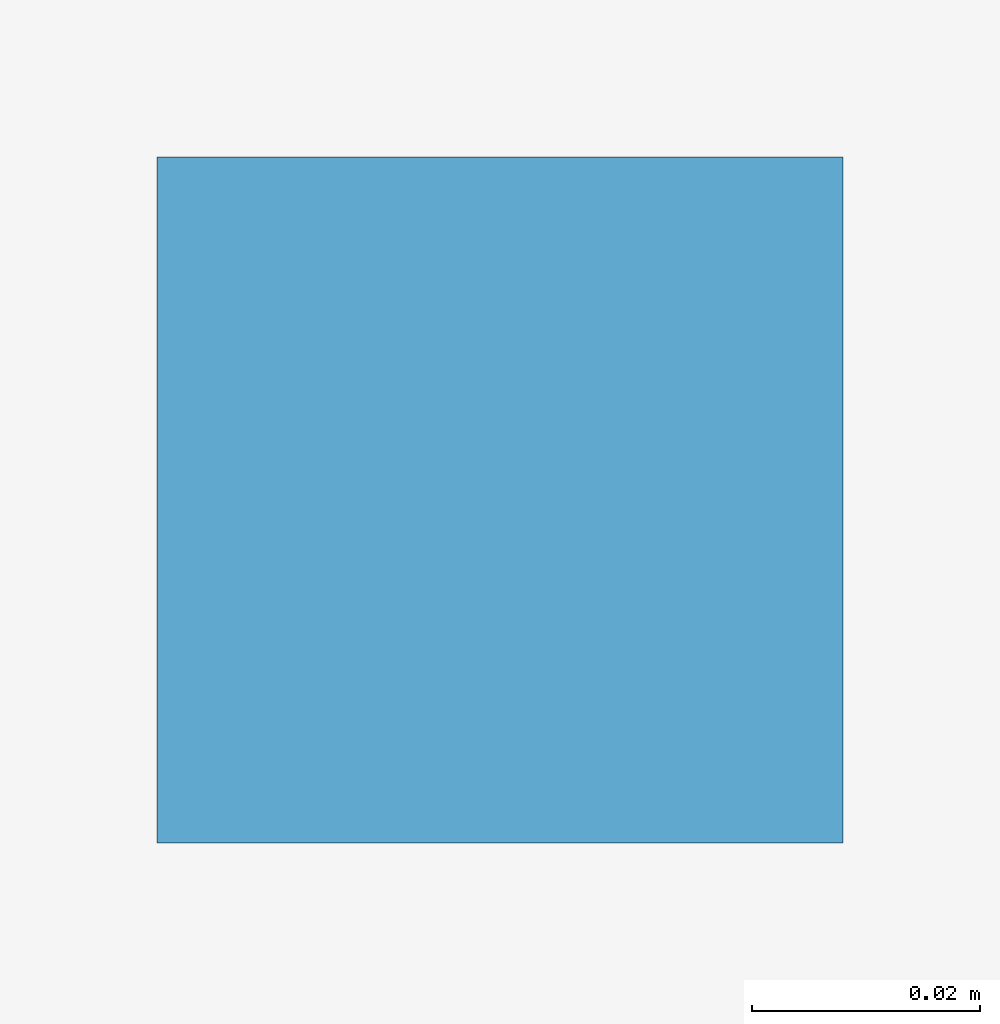
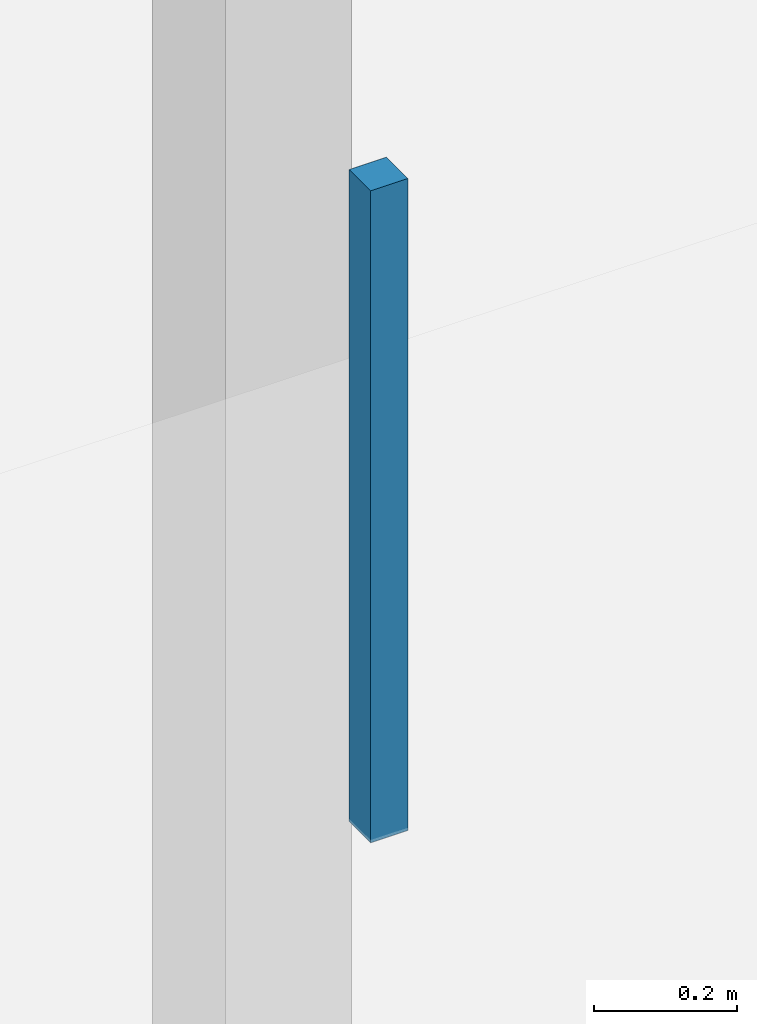
# One storey, part 123 of 139: 1 discrete accessory.
"""IFC4 building model written with IfcOpenShell, lengths in metres."""

from ifc_helpers import new_model, si_unit, derived_unit, direction, frame, origin, origin_2d, place, context, subcontext, project, spatial, rectangle, extrude, material, layer, layer_set, type_object, element, save


model = new_model("IFC4")

# Units and contexts
model_context = context("Model", 3, precision=1e-05, world=origin(), true_north=direction((0.0, 1.0)))
body_context = subcontext(model_context, "Body", "Model", "MODEL_VIEW")
ifc_project = project(units=[si_unit("LENGTHUNIT", "METRE"), si_unit("AREAUNIT", "SQUARE_METRE"), si_unit("VOLUMEUNIT", "CUBIC_METRE"), si_unit("PLANEANGLEUNIT", "RADIAN"), si_unit("MASSUNIT", "GRAM", prefix="KILO"), derived_unit("THERMALTRANSMITTANCEUNIT", [(si_unit("MASSUNIT", "GRAM", prefix="KILO"), 1), (si_unit("TIMEUNIT", "SECOND"), -3), (si_unit("THERMODYNAMICTEMPERATUREUNIT", "KELVIN"), -1)])], contexts=[model_context])

# Site, building, storey
site_placement = place(None, origin())
site = spatial("IfcSite", under=ifc_project, at=site_placement, CompositionType="ELEMENT")
building_placement = place(site_placement, origin())
building = spatial("IfcBuilding", under=site, at=building_placement, Name="Makaiwela Harbour Ferry Terminal", CompositionType="ELEMENT")
storey_placement = place(building_placement, frame((0.0, 0.0, 5.10009765625)))
storey = spatial("IfcBuildingStorey", under=building, at=storey_placement, Name="L01", CompositionType="ELEMENT", Elevation=5.10009765625)

# Discrete accessory
ifc_material = material(Name="Marine grade 316L brushed stainless steel", Category="steel")
ifc_layer = layer(ifc_material, 1.0)
ifc_layer_set = layer_set([ifc_layer], Name="Marine grade 316L brushed stainless steel")
discrete_accessory_type = type_object("IfcDiscreteAccessoryType", Name="INT-ACC-HNG", PredefinedType="BRACKET", material=ifc_layer_set)
discrete_accessory_placement = place(storey_placement, frame((96.60009765625, 109.97509765625, 3.134765625), z_axis=(0.0, 0.0, 1.0), x_axis=(1.0, 0.0, 0.0)))
element("IfcDiscreteAccessory", 1, at=discrete_accessory_placement, inside=storey, type_object=discrete_accessory_type, Name="Ceiling Suspension Bracket HNG-034", PredefinedType="BRACKET", context=body_context, shape_type="SweptSolid", body=[
    extrude(rectangle(XDim=0.06005859375, YDim=0.06005859375, at=origin_2d()), origin(), (0.0, 0.0, 1.0), 1.110107421875),
])

save(model, "model.ifc")
